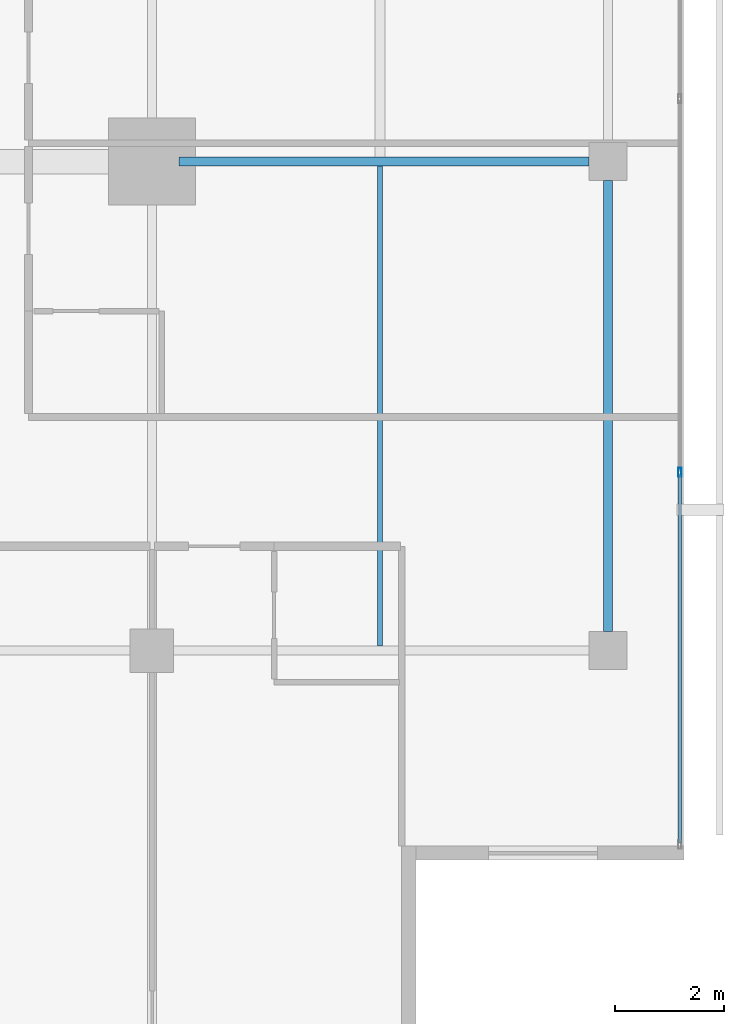
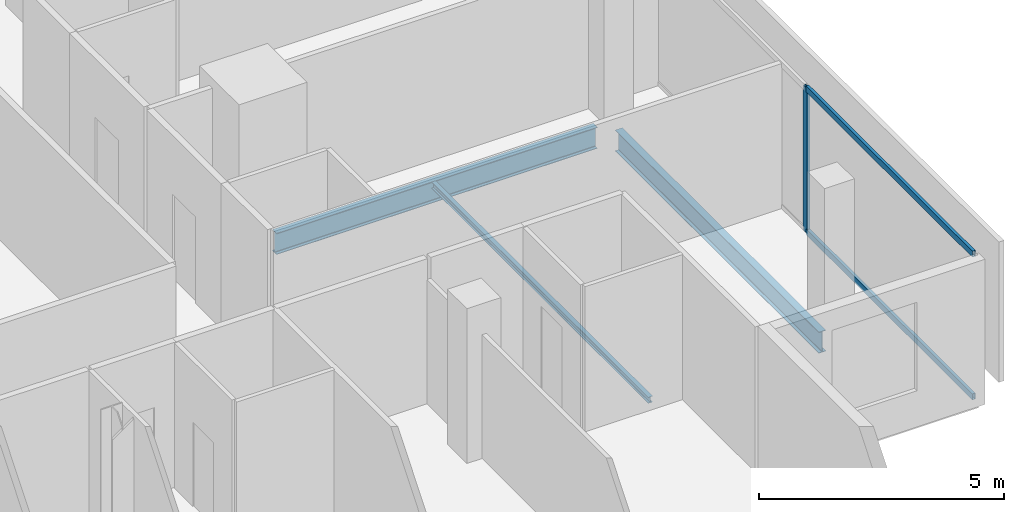
# One storey, part 12 of 26: 3 beams, 3 members, 1 element without a shape of its own.
"""IFC4 building model written with IfcOpenShell, lengths in metres."""

import ifcopenshell
import ifcopenshell.guid

model = None  # the IFC model being written
_history = None  # IfcOwnerHistory: only IFC2X3 demands one
_inside = {}  # id of a spatial element -> (the spatial element, [elements in it])
_under = {}  # id of a project, library or spatial element -> (it, [spatial elements below it])
_declared = {}  # id of a project -> (the project, [libraries it declares])
_typed = {}  # id of a type object -> (the type object, [elements of that type])
_made_of = {}  # id of a material, layer set ... -> (it, [elements and type objects made of it])


def new_model(schema):
    """Start an empty IFC model of exactly this schema.

    Asked for "IFC4X3", IfcOpenShell would pick the latest addendum, in which some entities
    have other attributes; the version numbers below select the first issue.
    IFC2X3 requires an IfcOwnerHistory on every rooted entity: one is made here for all.
    """
    global model, _history
    if schema == "IFC4X3":
        model = ifcopenshell.file(schema_version=(4, 3, 0, 0))
    else:
        model = ifcopenshell.file(schema=schema)
    _inside.clear()
    _under.clear()
    _declared.clear()
    _typed.clear()
    _made_of.clear()
    _history = None
    if model.schema == "IFC2X3":
        org = make("IfcOrganization", Name="unknown")
        user = make(
            "IfcPersonAndOrganization",
            ThePerson=make("IfcPerson", FamilyName="unknown"),
            TheOrganization=org,
        )
        app = make(
            "IfcApplication",
            ApplicationDeveloper=org,
            Version="unknown",
            ApplicationFullName="unknown",
            ApplicationIdentifier="unknown",
        )
        _history = make(
            "IfcOwnerHistory",
            OwningUser=user,
            OwningApplication=app,
            ChangeAction="ADDED",
            CreationDate=0,
        )
    return model


def make(cls, **values):
    """One entity of the class cls with the attributes given. An attribute that is None is left unset."""
    return model.create_entity(
        cls, **{name: value for name, value in values.items() if value is not None}
    )


def rooted(cls, **values):
    """An entity with a GlobalId (a new one), such as an element, a storey or a relation."""
    return make(cls, GlobalId=ifcopenshell.guid.new(), OwnerHistory=_history, **values)


def si_unit(unit_type, name, prefix=None):
    """IfcSIUnit, for example si_unit("LENGTHUNIT", "METRE", prefix="MILLI")."""
    return make("IfcSIUnit", UnitType=unit_type, Prefix=prefix, Name=name)


def assignment(units):
    """IfcUnitAssignment: the units of a project."""
    return None if units is None else make("IfcUnitAssignment", Units=units)


def point(xyz):
    """IfcCartesianPoint."""
    return None if xyz is None else make("IfcCartesianPoint", Coordinates=xyz)


def direction(xyz):
    """IfcDirection."""
    return None if xyz is None else make("IfcDirection", DirectionRatios=xyz)


def frame(location, z_axis=None, x_axis=None):
    """IfcAxis2Placement3D, a coordinate frame: its origin and axes. An axis left out is left unset."""
    return make(
        "IfcAxis2Placement3D",
        Location=point(location),
        Axis=direction(z_axis),
        RefDirection=direction(x_axis),
    )


def frame_2d(location, x_axis=None):
    """IfcAxis2Placement2D, a coordinate frame in the plane: its origin and x axis."""
    return make(
        "IfcAxis2Placement2D", Location=point(location), RefDirection=direction(x_axis)
    )


def origin():
    """The frame at (0, 0, 0) with its axes left unset."""
    return frame((0.0, 0.0, 0.0))


def origin_2d():
    """The frame at (0, 0) in the plane with its x axis left unset."""
    return frame_2d((0.0, 0.0))


def place(relative_to, where):
    """IfcLocalPlacement: puts the frame where relative to a parent placement (None: the world)."""
    return make(
        "IfcLocalPlacement", PlacementRelTo=relative_to, RelativePlacement=where
    )


def context(
    kind, dimensions, precision=None, world=None, true_north=None, identifier=None
):
    """IfcGeometricRepresentationContext, for example the 3D "Model" context."""
    return make(
        "IfcGeometricRepresentationContext",
        ContextIdentifier=identifier,
        ContextType=kind,
        CoordinateSpaceDimension=dimensions,
        Precision=precision,
        WorldCoordinateSystem=world,
        TrueNorth=true_north,
    )


def subcontext(parent, identifier, kind, view, scale=None):
    """IfcGeometricRepresentationSubContext, for example "Body" below "Model"."""
    return make(
        "IfcGeometricRepresentationSubContext",
        ContextIdentifier=identifier,
        ContextType=kind,
        ParentContext=parent,
        TargetScale=scale,
        TargetView=view,
    )


def project(units=None, contexts=None):
    """IfcProject with its units and contexts."""
    return rooted(
        "IfcProject",
        Name="project",
        RepresentationContexts=contexts,
        UnitsInContext=assignment(units),
    )


def spatial(cls, under=None, at=None, **own):
    """A site, building, storey or space (cls), placed at a placement, below another one or the project."""
    s = rooted(cls, ObjectPlacement=at, **own)
    if under is not None:
        _under.setdefault(under.id(), (under, []))[1].append(s)
    return s


def profile(cls, at=None, kind="AREA", **sizes):
    """A parametric profile (cls). Its sizes go by their IFC names, for example OverallWidth=200.0."""
    return make(cls, ProfileType=kind, Position=at, **sizes)


def hollow_rectangle(**sizes):
    """IfcRectangleHollowProfileDef."""
    return profile("IfcRectangleHollowProfileDef", **sizes)


def i_section(**sizes):
    """IfcIShapeProfileDef."""
    return profile("IfcIShapeProfileDef", **sizes)


def extrude(swept, where, along, depth):
    """IfcExtrudedAreaSolid: the profile swept, set in the frame where, extruded along a direction by depth."""
    return make(
        "IfcExtrudedAreaSolid",
        SweptArea=swept,
        Position=where,
        ExtrudedDirection=direction(along),
        Depth=depth,
    )


def shape(context_of_items, identifier, shape_type, items):
    """IfcShapeRepresentation: the items that make up one representation, for example the "Body"."""
    return make(
        "IfcShapeRepresentation",
        ContextOfItems=context_of_items,
        RepresentationIdentifier=identifier,
        RepresentationType=shape_type,
        Items=items,
    )


def material(Name=None, Category=None):
    """IfcMaterial."""
    return make("IfcMaterial", Name=Name, Category=Category)


def layer(
    of_material, thickness, ventilated=None, Name=None, Category=None, Priority=None
):
    """IfcMaterialLayer: one layer of a wall or slab, of a material (None: an air gap)."""
    return make(
        "IfcMaterialLayer",
        Material=of_material,
        LayerThickness=thickness,
        IsVentilated=ventilated,
        Name=Name,
        Category=Category,
        Priority=Priority,
    )


def layer_set(layers, Name=None):
    """IfcMaterialLayerSet."""
    return make("IfcMaterialLayerSet", MaterialLayers=layers, LayerSetName=Name)


def material_profile(
    of_material, cross_section, Name=None, Category=None, Priority=None
):
    """IfcMaterialProfile: a cross section and its material."""
    return make(
        "IfcMaterialProfile",
        Name=Name,
        Material=of_material,
        Profile=cross_section,
        Priority=Priority,
        Category=Category,
    )


def profile_set(profiles, Name=None, composite=None):
    """IfcMaterialProfileSet."""
    return make(
        "IfcMaterialProfileSet",
        Name=Name,
        MaterialProfiles=profiles,
        CompositeProfile=composite,
    )


def made_of(thing, what):
    """Note that an element or type object is made of a material, layer set ...; save() writes the relation."""
    if what is not None:
        _made_of.setdefault(what.id(), (what, []))[1].append(thing)
    return thing


def type_object(cls, material=None, **own):
    """A type object (cls), such as IfcWallType, which elements share."""
    return made_of(rooted(cls, **own), material)


def element(
    cls,
    number,
    at=None,
    inside=None,
    cuts=None,
    type_object=None,
    material=None,
    context=None,
    identifier="Body",
    shape_type=None,
    held_by="IfcProductDefinitionShape",
    body=None,
    shapes=None,
    **own,
):
    """One element of the class cls, such as IfcWall. Its Tag is "e" and its number.

    at: its placement. inside: the storey or other place that contains it. cuts: it is an
    opening in that element (IfcRelVoidsElement). A single representation is given by context,
    identifier, shape_type and body (its items); several are given by shapes. held_by: the class
    of the entity that holds the representations. save() writes the other relations.
    """
    e = rooted(cls, Tag="e%d" % number, ObjectPlacement=at, **own)
    if body is not None:
        shapes = [shape(context, identifier, shape_type, body)]
    if shapes is not None:
        e.Representation = make(held_by, Representations=shapes)
    if inside is not None:
        _inside.setdefault(inside.id(), (inside, []))[1].append(e)
    if cuts is not None:
        rooted(
            "IfcRelVoidsElement", RelatingBuildingElement=cuts, RelatedOpeningElement=e
        )
    if type_object is not None:
        _typed.setdefault(type_object.id(), (type_object, []))[1].append(e)
    return made_of(e, material)


def aggregate(whole, parts):
    """IfcRelAggregates: a whole, such as a stair, and the parts it consists of."""
    return rooted("IfcRelAggregates", RelatingObject=whole, RelatedObjects=parts)


def save(model, path):
    """Write the relations noted so far, then the file.

    IfcRelAggregates (storeys below a building ...), IfcRelContainedInSpatialStructure (elements
    in a storey), IfcRelDefinesByType, IfcRelAssociatesMaterial and IfcRelDeclares: one each for
    every whole, place, type object, material and project.
    """
    for whole, parts in _under.values():
        aggregate(whole, parts)
    for where, things in _inside.values():
        rooted(
            "IfcRelContainedInSpatialStructure",
            RelatedElements=things,
            RelatingStructure=where,
        )
    for kind, things in _typed.values():
        rooted("IfcRelDefinesByType", RelatedObjects=things, RelatingType=kind)
    for what, things in _made_of.values():
        rooted("IfcRelAssociatesMaterial", RelatedObjects=things, RelatingMaterial=what)
    for by, libraries in _declared.values():
        rooted("IfcRelDeclares", RelatingContext=by, RelatedDefinitions=libraries)
    model.write(path)


model = new_model("IFC4")

# Units and contexts
model_context = context("Model", 3, precision=1e-05, world=origin(), true_north=direction((0.0, 1.0)))
body_context = subcontext(model_context, "Body", "Model", "MODEL_VIEW")
ifc_project = project(units=[si_unit("LENGTHUNIT", "METRE"), si_unit("AREAUNIT", "SQUARE_METRE"), si_unit("VOLUMEUNIT", "CUBIC_METRE"), si_unit("PLANEANGLEUNIT", "RADIAN"), si_unit("MASSUNIT", "GRAM", prefix="KILO")], contexts=[model_context])

# Site, building, storey
site_placement = place(None, origin())
site = spatial("IfcSite", under=ifc_project, at=site_placement, CompositionType="ELEMENT")
building_placement = place(site_placement, origin())
building = spatial("IfcBuilding", under=site, at=building_placement, Name="Maruvema Waterfront Hotel and Observation Tower", CompositionType="ELEMENT")
storey_placement = place(building_placement, frame((0.0, 0.0, 293.300048828125)))
storey = spatial("IfcBuildingStorey", under=building, at=storey_placement, Name="L72", CompositionType="ELEMENT", Elevation=293.300048828125)

# Curtain wall, members
ifc_material_1 = material(Name="Anodised bronze aluminium and solar-control low-E IGU", Category="aluminium")
ifc_layer = layer(ifc_material_1, 0.159912109375, Name="Zone 3 Champagne Inner Thermal Curtain Wall System CW-04")
ifc_layer_set = layer_set([ifc_layer], Name="Anodised bronze aluminium and solar-control low-E IGU")
curtain_wall_type = type_object("IfcCurtainWallType", Name="Zone 3 Champagne Inner Thermal Curtain Wall System CW-04", PredefinedType="USERDEFINED", material=ifc_layer_set)
curtain_wall_placement = place(storey_placement, origin())
curtain_wall = element("IfcCurtainWall", 1, at=curtain_wall_placement, inside=storey, type_object=curtain_wall_type, Name="L72 Curtain Wall CW-L72-E", ObjectType="UNITISED CURTAIN WALL", PredefinedType="USERDEFINED")
ifc_material_2 = material(Name="Anodised architectural bronze aluminium", Category="aluminium")
ifc_material_profile_1 = material_profile(ifc_material_2, hollow_rectangle(XDim=0.070068359375, YDim=0.14990234375, WallThickness=0.00390625, at=origin_2d()), Name="ALU-T70x150")
ifc_profile_set_1 = profile_set([ifc_material_profile_1], Name="Anodised architectural bronze aluminium")
member_type_1 = type_object("IfcMemberType", Name="Curtain Wall Horizontal Transom ALU-T70x150", PredefinedType="USERDEFINED", material=ifc_profile_set_1)
member_1_placement = place(storey_placement, frame((60.1201171875, 14.4599609375, 0.030029296875), z_axis=(0.0, 1.0, 0.0), x_axis=(-1.0, 0.0, 0.0)))
member_1 = element("IfcMember", 2, at=member_1_placement, type_object=member_type_1, Name="CW-04 transom 1.1", ObjectType="TRANSOM", PredefinedType="USERDEFINED", context=body_context, shape_type="SweptSolid", body=[
    extrude(hollow_rectangle(XDim=0.070068359375, YDim=0.14990234375, WallThickness=0.00390625, at=origin_2d()), origin(), (0.0, 0.0, 1.0), 6.7900390625),
])
member_2_placement = place(storey_placement, frame((60.1201171875, 14.4599609375, 3.579833984375), z_axis=(0.0, 1.0, 0.0), x_axis=(-1.0, 0.0, 0.0)))
member_2 = element("IfcMember", 3, at=member_2_placement, type_object=member_type_1, Name="CW-04 transom 1.2", ObjectType="TRANSOM", PredefinedType="USERDEFINED", context=body_context, shape_type="SweptSolid", body=[
    extrude(hollow_rectangle(XDim=0.070068359375, YDim=0.14990234375, WallThickness=0.00390625, at=origin_2d()), origin(), (0.0, 0.0, 1.0), 6.7900390625),
])
ifc_material_3 = material(Name="Anodised architectural bronze aluminium", Category="aluminium")
ifc_material_profile_2 = material_profile(ifc_material_3, hollow_rectangle(XDim=0.06494140625, YDim=0.1650390625, WallThickness=0.00390625, at=origin_2d()), Name="ALU-M65x165")
ifc_profile_set_2 = profile_set([ifc_material_profile_2], Name="Anodised architectural bronze aluminium")
member_type_2 = type_object("IfcMemberType", Name="Curtain Wall Primary Mullion ALU-M65x165", PredefinedType="MULLION", material=ifc_profile_set_2)
member_3_placement = place(storey_placement, frame((60.1201171875, 21.280029296875, 0.0), z_axis=(0.0, 0.0, 1.0), x_axis=(-1.0, 0.0, 0.0)))
member_3 = element("IfcMember", 4, at=member_3_placement, type_object=member_type_2, Name="CW-04 mullion 2", PredefinedType="MULLION", context=body_context, shape_type="SweptSolid", body=[
    extrude(hollow_rectangle(XDim=0.06494140625, YDim=0.1650390625, WallThickness=0.00390625, at=origin_2d()), origin(), (0.0, 0.0, 1.0), 3.60986328125),
])
aggregate(curtain_wall, [member_3, member_1, member_2])

# Beams
ifc_material_4 = material(Name="Steel ASTM A572 Grade 50", Category="steel")
ifc_material_profile_3 = material_profile(ifc_material_4, i_section(OverallWidth=0.166015625, OverallDepth=0.529052734375, WebThickness=0.009765625, FlangeThickness=0.013671875, FilletRadius=0.014892578125, at=origin_2d()), Name="W530x74.0")
ifc_profile_set_3 = profile_set([ifc_material_profile_3], Name="Steel ASTM A572 Grade 50")
beam_type_1 = type_object("IfcBeamType", Name="Primary Floor Girder W530x74.0", PredefinedType="BEAM", material=ifc_profile_set_3)
beam_1_placement = place(storey_placement, frame((50.89990234375, 27.0, -0.504638671875), z_axis=(1.0, 0.0, 0.0), x_axis=(0.0, 1.0, 0.0)))
element("IfcBeam", 5, at=beam_1_placement, inside=storey, type_object=beam_type_1, Name="L72 Floor Girder EW-11", PredefinedType="BEAM", context=body_context, shape_type="SweptSolid", body=[
    extrude(i_section(OverallWidth=0.166015625, OverallDepth=0.529052734375, WebThickness=0.009765625, FlangeThickness=0.013671875, FilletRadius=0.014892578125, at=origin_2d()), origin(), (0.0, 0.0, 1.0), 7.550048828125),
])
beam_2_placement = place(storey_placement, frame((58.800048828125, 18.35009765625, -0.504638671875), z_axis=(0.0, 1.0, 0.0), x_axis=(-1.0, 0.0, 0.0)))
element("IfcBeam", 6, at=beam_2_placement, inside=storey, type_object=beam_type_1, Name="L72 Floor Girder NS-16", PredefinedType="BEAM", context=body_context, shape_type="SweptSolid", body=[
    extrude(i_section(OverallWidth=0.166015625, OverallDepth=0.529052734375, WebThickness=0.009765625, FlangeThickness=0.013671875, FilletRadius=0.014892578125, at=origin_2d()), origin(), (0.0, 0.0, 1.0), 8.2998046875),
])
ifc_material_5 = material(Name="Steel ASTM A572 Grade 50", Category="steel")
ifc_material_profile_4 = material_profile(ifc_material_5, i_section(OverallWidth=0.10009765625, OverallDepth=0.153076171875, WebThickness=0.005859375, FlangeThickness=0.007080078125, FilletRadius=0.008056640625, at=origin_2d()), Name="W150x18.0")
ifc_profile_set_4 = profile_set([ifc_material_profile_4], Name="Steel ASTM A572 Grade 50")
beam_type_2 = type_object("IfcBeamType", Name="Secondary Floor Joist W150x18.0", PredefinedType="JOIST", material=ifc_profile_set_4)
beam_3_placement = place(storey_placement, frame((54.60009765625, 18.0830078125, -0.316650390625), z_axis=(0.0, 1.0, 0.0), x_axis=(-1.0, 0.0, 0.0)))
element("IfcBeam", 7, at=beam_3_placement, inside=storey, type_object=beam_type_2, Name="L72 Secondary Floor Joist JS-07", PredefinedType="JOIST", context=body_context, shape_type="SweptSolid", body=[
    extrude(i_section(OverallWidth=0.10009765625, OverallDepth=0.153076171875, WebThickness=0.005859375, FlangeThickness=0.007080078125, FilletRadius=0.008056640625, at=origin_2d()), origin(), (0.0, 0.0, 1.0), 8.833984375),
])

save(model, "model.ifc")
